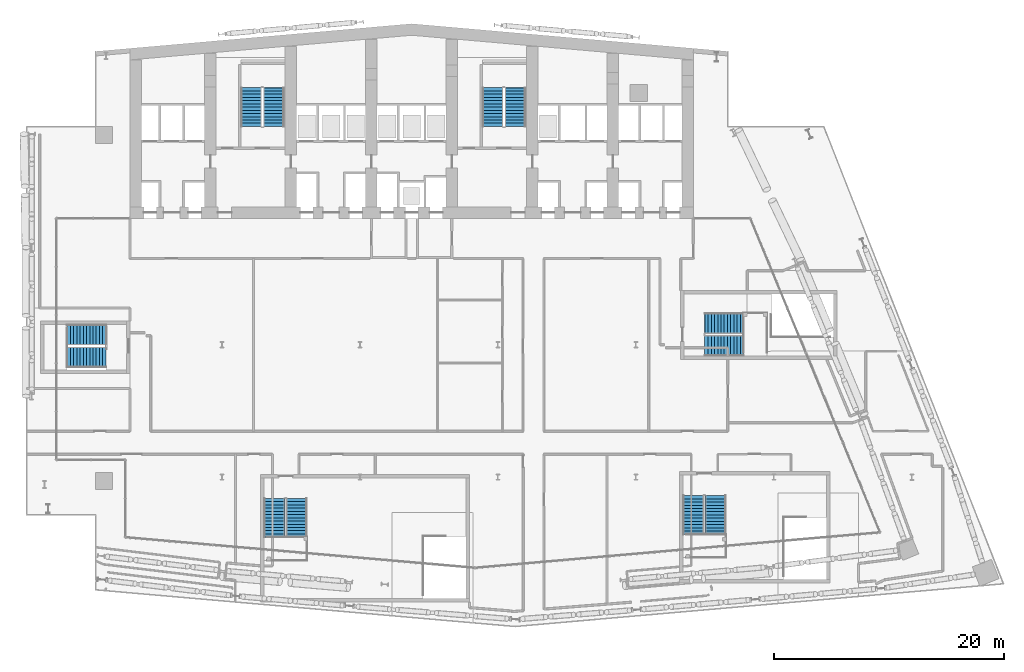
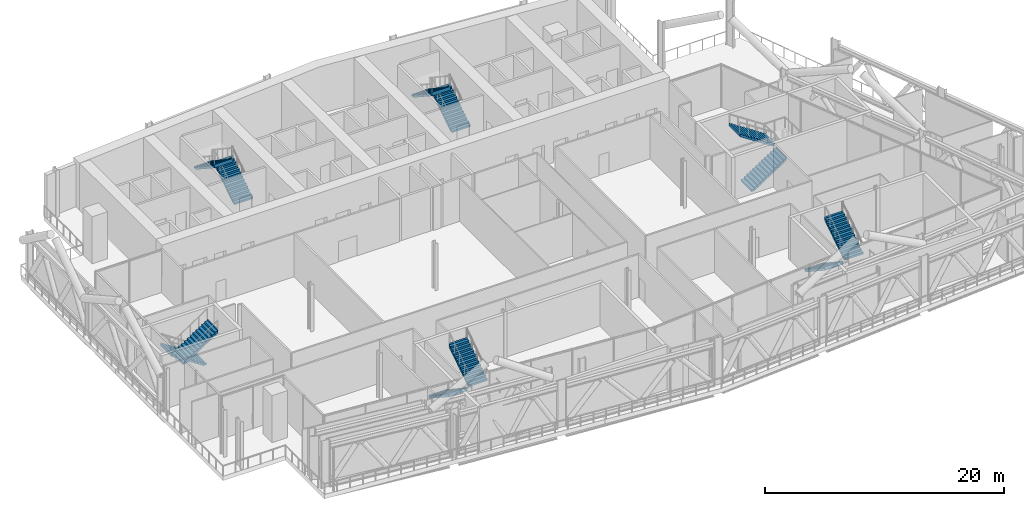
# One storey, part 23 of 42: 12 stair flights, 6 elements without a shape of their own.
"""IFC4 building model written with IfcOpenShell, lengths in metres."""

import ifcopenshell
import ifcopenshell.guid

model = None  # the IFC model being written
_history = None  # IfcOwnerHistory: only IFC2X3 demands one
_inside = {}  # id of a spatial element -> (the spatial element, [elements in it])
_under = {}  # id of a project, library or spatial element -> (it, [spatial elements below it])
_declared = {}  # id of a project -> (the project, [libraries it declares])
_typed = {}  # id of a type object -> (the type object, [elements of that type])
_made_of = {}  # id of a material, layer set ... -> (it, [elements and type objects made of it])


def new_model(schema):
    """Start an empty IFC model of exactly this schema.

    Asked for "IFC4X3", IfcOpenShell would pick the latest addendum, in which some entities
    have other attributes; the version numbers below select the first issue.
    IFC2X3 requires an IfcOwnerHistory on every rooted entity: one is made here for all.
    """
    global model, _history
    if schema == "IFC4X3":
        model = ifcopenshell.file(schema_version=(4, 3, 0, 0))
    else:
        model = ifcopenshell.file(schema=schema)
    _inside.clear()
    _under.clear()
    _declared.clear()
    _typed.clear()
    _made_of.clear()
    _history = None
    if model.schema == "IFC2X3":
        org = make("IfcOrganization", Name="unknown")
        user = make(
            "IfcPersonAndOrganization",
            ThePerson=make("IfcPerson", FamilyName="unknown"),
            TheOrganization=org,
        )
        app = make(
            "IfcApplication",
            ApplicationDeveloper=org,
            Version="unknown",
            ApplicationFullName="unknown",
            ApplicationIdentifier="unknown",
        )
        _history = make(
            "IfcOwnerHistory",
            OwningUser=user,
            OwningApplication=app,
            ChangeAction="ADDED",
            CreationDate=0,
        )
    return model


def make(cls, **values):
    """One entity of the class cls with the attributes given. An attribute that is None is left unset."""
    return model.create_entity(
        cls, **{name: value for name, value in values.items() if value is not None}
    )


def rooted(cls, **values):
    """An entity with a GlobalId (a new one), such as an element, a storey or a relation."""
    return make(cls, GlobalId=ifcopenshell.guid.new(), OwnerHistory=_history, **values)


def si_unit(unit_type, name, prefix=None):
    """IfcSIUnit, for example si_unit("LENGTHUNIT", "METRE", prefix="MILLI")."""
    return make("IfcSIUnit", UnitType=unit_type, Prefix=prefix, Name=name)


def assignment(units):
    """IfcUnitAssignment: the units of a project."""
    return None if units is None else make("IfcUnitAssignment", Units=units)


def point(xyz):
    """IfcCartesianPoint."""
    return None if xyz is None else make("IfcCartesianPoint", Coordinates=xyz)


def direction(xyz):
    """IfcDirection."""
    return None if xyz is None else make("IfcDirection", DirectionRatios=xyz)


def frame(location, z_axis=None, x_axis=None):
    """IfcAxis2Placement3D, a coordinate frame: its origin and axes. An axis left out is left unset."""
    return make(
        "IfcAxis2Placement3D",
        Location=point(location),
        Axis=direction(z_axis),
        RefDirection=direction(x_axis),
    )


def origin():
    """The frame at (0, 0, 0) with its axes left unset."""
    return frame((0.0, 0.0, 0.0))


def place(relative_to, where):
    """IfcLocalPlacement: puts the frame where relative to a parent placement (None: the world)."""
    return make(
        "IfcLocalPlacement", PlacementRelTo=relative_to, RelativePlacement=where
    )


def context(
    kind, dimensions, precision=None, world=None, true_north=None, identifier=None
):
    """IfcGeometricRepresentationContext, for example the 3D "Model" context."""
    return make(
        "IfcGeometricRepresentationContext",
        ContextIdentifier=identifier,
        ContextType=kind,
        CoordinateSpaceDimension=dimensions,
        Precision=precision,
        WorldCoordinateSystem=world,
        TrueNorth=true_north,
    )


def subcontext(parent, identifier, kind, view, scale=None):
    """IfcGeometricRepresentationSubContext, for example "Body" below "Model"."""
    return make(
        "IfcGeometricRepresentationSubContext",
        ContextIdentifier=identifier,
        ContextType=kind,
        ParentContext=parent,
        TargetScale=scale,
        TargetView=view,
    )


def project(units=None, contexts=None):
    """IfcProject with its units and contexts."""
    return rooted(
        "IfcProject",
        Name="project",
        RepresentationContexts=contexts,
        UnitsInContext=assignment(units),
    )


def spatial(cls, under=None, at=None, **own):
    """A site, building, storey or space (cls), placed at a placement, below another one or the project."""
    s = rooted(cls, ObjectPlacement=at, **own)
    if under is not None:
        _under.setdefault(under.id(), (under, []))[1].append(s)
    return s


def polyline(points):
    """IfcPolyline through the points."""
    return make("IfcPolyline", Points=[point(p) for p in points])


def outline(outer, holes=None, kind="AREA"):
    """IfcArbitraryClosedProfileDef: a profile drawn as a closed curve; with holes, ...WithVoids."""
    if holes is None:
        return make("IfcArbitraryClosedProfileDef", ProfileType=kind, OuterCurve=outer)
    return make(
        "IfcArbitraryProfileDefWithVoids",
        ProfileType=kind,
        OuterCurve=outer,
        InnerCurves=holes,
    )


def extrude(swept, where, along, depth):
    """IfcExtrudedAreaSolid: the profile swept, set in the frame where, extruded along a direction by depth."""
    return make(
        "IfcExtrudedAreaSolid",
        SweptArea=swept,
        Position=where,
        ExtrudedDirection=direction(along),
        Depth=depth,
    )


def shape(context_of_items, identifier, shape_type, items):
    """IfcShapeRepresentation: the items that make up one representation, for example the "Body"."""
    return make(
        "IfcShapeRepresentation",
        ContextOfItems=context_of_items,
        RepresentationIdentifier=identifier,
        RepresentationType=shape_type,
        Items=items,
    )


def material(Name=None, Category=None):
    """IfcMaterial."""
    return make("IfcMaterial", Name=Name, Category=Category)


def made_of(thing, what):
    """Note that an element or type object is made of a material, layer set ...; save() writes the relation."""
    if what is not None:
        _made_of.setdefault(what.id(), (what, []))[1].append(thing)
    return thing


def type_object(cls, material=None, **own):
    """A type object (cls), such as IfcWallType, which elements share."""
    return made_of(rooted(cls, **own), material)


def element(
    cls,
    number,
    at=None,
    inside=None,
    cuts=None,
    type_object=None,
    material=None,
    context=None,
    identifier="Body",
    shape_type=None,
    held_by="IfcProductDefinitionShape",
    body=None,
    shapes=None,
    **own,
):
    """One element of the class cls, such as IfcWall. Its Tag is "e" and its number.

    at: its placement. inside: the storey or other place that contains it. cuts: it is an
    opening in that element (IfcRelVoidsElement). A single representation is given by context,
    identifier, shape_type and body (its items); several are given by shapes. held_by: the class
    of the entity that holds the representations. save() writes the other relations.
    """
    e = rooted(cls, Tag="e%d" % number, ObjectPlacement=at, **own)
    if body is not None:
        shapes = [shape(context, identifier, shape_type, body)]
    if shapes is not None:
        e.Representation = make(held_by, Representations=shapes)
    if inside is not None:
        _inside.setdefault(inside.id(), (inside, []))[1].append(e)
    if cuts is not None:
        rooted(
            "IfcRelVoidsElement", RelatingBuildingElement=cuts, RelatedOpeningElement=e
        )
    if type_object is not None:
        _typed.setdefault(type_object.id(), (type_object, []))[1].append(e)
    return made_of(e, material)


def aggregate(whole, parts):
    """IfcRelAggregates: a whole, such as a stair, and the parts it consists of."""
    return rooted("IfcRelAggregates", RelatingObject=whole, RelatedObjects=parts)


def save(model, path):
    """Write the relations noted so far, then the file.

    IfcRelAggregates (storeys below a building ...), IfcRelContainedInSpatialStructure (elements
    in a storey), IfcRelDefinesByType, IfcRelAssociatesMaterial and IfcRelDeclares: one each for
    every whole, place, type object, material and project.
    """
    for whole, parts in _under.values():
        aggregate(whole, parts)
    for where, things in _inside.values():
        rooted(
            "IfcRelContainedInSpatialStructure",
            RelatedElements=things,
            RelatingStructure=where,
        )
    for kind, things in _typed.values():
        rooted("IfcRelDefinesByType", RelatedObjects=things, RelatingType=kind)
    for what, things in _made_of.values():
        rooted("IfcRelAssociatesMaterial", RelatedObjects=things, RelatingMaterial=what)
    for by, libraries in _declared.values():
        rooted("IfcRelDeclares", RelatingContext=by, RelatedDefinitions=libraries)
    model.write(path)


model = new_model("IFC4")

# Units and contexts
model_context = context("Model", 3, precision=1e-05, world=origin(), true_north=direction((0.0, 1.0)))
body_context = subcontext(model_context, "Body", "Model", "MODEL_VIEW")
ifc_project = project(units=[si_unit("LENGTHUNIT", "METRE"), si_unit("AREAUNIT", "SQUARE_METRE"), si_unit("VOLUMEUNIT", "CUBIC_METRE"), si_unit("PLANEANGLEUNIT", "RADIAN"), si_unit("MASSUNIT", "GRAM", prefix="KILO")], contexts=[model_context])

# Site, building, storey
site_placement = place(None, origin())
site = spatial("IfcSite", under=ifc_project, at=site_placement, CompositionType="ELEMENT")
building_placement = place(site_placement, origin())
building = spatial("IfcBuilding", under=site, at=building_placement, Name="Wharfspan Tower", CompositionType="ELEMENT")
storey_placement = place(building_placement, frame((0.0, 0.0, 147.100098)))
storey = spatial("IfcBuildingStorey", under=building, at=storey_placement, Name="L35", CompositionType="ELEMENT", Elevation=147.100098)

# Stair, stair flights
ifc_material = material(Name="Concrete C40/50", Category="concrete")
stair_type = type_object("IfcStairType", Name="Half-turn stair 26 risers 185 mm", PredefinedType="HALF_TURN_STAIR", material=ifc_material)
stair_1_placement = place(storey_placement, origin())
stair_1 = element("IfcStair", 1, at=stair_1_placement, inside=storey, type_object=stair_type, Name="L35 stair ST1", PredefinedType="HALF_TURN_STAIR")
stair_flight_type = type_object("IfcStairFlightType", Name="Stair flight 26 risers 185 mm", PredefinedType="STRAIGHT", material=ifc_material)
stair_flight_1_placement = place(storey_placement, frame((28.5, 42.0, 0.0), z_axis=(0.0, 0.0, 1.0), x_axis=(0.0, 1.0, 0.0)))
stair_flight_1 = element("IfcStairFlight", 2, at=stair_flight_1_placement, type_object=stair_flight_type, Name="ST1 flight 1", NumberOfRisers=13, NumberOfTreads=12, PredefinedType="STRAIGHT", RiserHeight=0.184615, TreadLength=0.28, context=body_context, shape_type="SweptSolid", body=[
    extrude(outline(polyline([(-0.011963, 0.0), (-0.011963, 0.18457), (0.0, 0.18457), (0.280029, 0.18457), (0.280029, 0.369141), (0.560059, 0.369141), (0.560059, 0.553955), (0.840088, 0.553955), (0.840088, 0.738525), (1.120117, 0.738525), (1.120117, 0.923096), (1.399902, 0.923096), (1.399902, 1.107666), (1.679932, 1.107666), (1.679932, 1.292236), (1.959961, 1.292236), (1.959961, 1.476807), (2.23999, 1.476807), (2.23999, 1.661621), (2.52002, 1.661621), (2.52002, 1.846191), (2.800049, 1.846191), (2.800049, 2.030762), (3.080078, 2.030762), (3.080078, 2.215332), (3.360107, 2.215332), (3.37207, 2.399902), (3.37207, 2.035889), (0.272217, 0.0), (-0.011963, 0.0)])), frame((0.0, 0.899902, 0.0), z_axis=(0.0, -1.0, 0.0), x_axis=(1.0, 0.0, 0.0)), (0.0, 0.0, 1.0), 1.800049),
])
stair_flight_2_placement = place(storey_placement, frame((26.550049, 45.360107, 2.399902), z_axis=(0.0, 0.0, 1.0), x_axis=(0.0, -1.0, 0.0)))
stair_flight_2 = element("IfcStairFlight", 3, at=stair_flight_2_placement, type_object=stair_flight_type, Name="ST1 flight 2", NumberOfRisers=13, NumberOfTreads=12, PredefinedType="STRAIGHT", RiserHeight=0.184615, TreadLength=0.28, context=body_context, shape_type="SweptSolid", body=[
    extrude(outline(polyline([(-0.011963, 0.0), (-0.011963, 0.18457), (0.0, 0.18457), (0.280029, 0.18457), (0.280029, 0.369141), (0.560059, 0.369141), (0.560059, 0.553955), (0.840088, 0.553955), (0.840088, 0.738525), (1.120117, 0.738525), (1.120117, 0.923096), (1.399902, 0.923096), (1.399902, 1.107666), (1.679932, 1.107666), (1.679932, 1.292236), (1.959961, 1.292236), (1.959961, 1.476807), (2.23999, 1.476807), (2.23999, 1.661621), (2.52002, 1.661621), (2.52002, 1.846191), (2.800049, 1.846191), (2.800049, 2.030762), (3.080078, 2.030762), (3.080078, 2.215332), (3.360107, 2.215332), (3.37207, 2.399902), (3.37207, 2.035889), (0.272217, 0.0), (-0.011963, 0.0)])), frame((0.0, 0.899902, 0.0), z_axis=(0.0, -1.0, 0.0), x_axis=(1.0, 0.0, 0.0)), (0.0, 0.0, 1.0), 1.800049),
])
aggregate(stair_1, [stair_flight_1, stair_flight_2])

stair_2_placement = place(storey_placement, origin())
stair_2 = element("IfcStair", 4, at=stair_2_placement, inside=storey, type_object=stair_type, Name="L35 stair ST2", PredefinedType="HALF_TURN_STAIR")
stair_flight_3_placement = place(storey_placement, frame((49.5, 42.0, 0.0), z_axis=(0.0, 0.0, 1.0), x_axis=(0.0, 1.0, 0.0)))
stair_flight_3 = element("IfcStairFlight", 5, at=stair_flight_3_placement, type_object=stair_flight_type, Name="ST2 flight 1", NumberOfRisers=13, NumberOfTreads=12, PredefinedType="STRAIGHT", RiserHeight=0.184615, TreadLength=0.28, context=body_context, shape_type="SweptSolid", body=[
    extrude(outline(polyline([(-0.011963, 0.0), (-0.011963, 0.18457), (0.0, 0.18457), (0.280029, 0.18457), (0.280029, 0.369141), (0.560059, 0.369141), (0.560059, 0.553955), (0.840088, 0.553955), (0.840088, 0.738525), (1.120117, 0.738525), (1.120117, 0.923096), (1.399902, 0.923096), (1.399902, 1.107666), (1.679932, 1.107666), (1.679932, 1.292236), (1.959961, 1.292236), (1.959961, 1.476807), (2.23999, 1.476807), (2.23999, 1.661621), (2.52002, 1.661621), (2.52002, 1.846191), (2.800049, 1.846191), (2.800049, 2.030762), (3.080078, 2.030762), (3.080078, 2.215332), (3.360107, 2.215332), (3.37207, 2.399902), (3.37207, 2.035889), (0.272217, 0.0), (-0.011963, 0.0)])), frame((0.0, 0.899902, 0.0), z_axis=(0.0, -1.0, 0.0), x_axis=(1.0, 0.0, 0.0)), (0.0, 0.0, 1.0), 1.800049),
])
stair_flight_4_placement = place(storey_placement, frame((47.550049, 45.360107, 2.399902), z_axis=(0.0, 0.0, 1.0), x_axis=(0.0, -1.0, 0.0)))
stair_flight_4 = element("IfcStairFlight", 6, at=stair_flight_4_placement, type_object=stair_flight_type, Name="ST2 flight 2", NumberOfRisers=13, NumberOfTreads=12, PredefinedType="STRAIGHT", RiserHeight=0.184615, TreadLength=0.28, context=body_context, shape_type="SweptSolid", body=[
    extrude(outline(polyline([(-0.011963, 0.0), (-0.011963, 0.18457), (0.0, 0.18457), (0.280029, 0.18457), (0.280029, 0.369141), (0.560059, 0.369141), (0.560059, 0.553955), (0.840088, 0.553955), (0.840088, 0.738525), (1.120117, 0.738525), (1.120117, 0.923096), (1.399902, 0.923096), (1.399902, 1.107666), (1.679932, 1.107666), (1.679932, 1.292236), (1.959961, 1.292236), (1.959961, 1.476807), (2.23999, 1.476807), (2.23999, 1.661621), (2.52002, 1.661621), (2.52002, 1.846191), (2.800049, 1.846191), (2.800049, 2.030762), (3.080078, 2.030762), (3.080078, 2.215332), (3.360107, 2.215332), (3.37207, 2.399902), (3.37207, 2.035889), (0.272217, 0.0), (-0.011963, 0.0)])), frame((0.0, 0.899902, 0.0), z_axis=(0.0, -1.0, 0.0), x_axis=(1.0, 0.0, 0.0)), (0.0, 0.0, 1.0), 1.800049),
])
aggregate(stair_2, [stair_flight_3, stair_flight_4])

stair_3_placement = place(storey_placement, origin())
stair_3 = element("IfcStair", 7, at=stair_3_placement, inside=storey, type_object=stair_type, Name="L35 stair ST3", PredefinedType="HALF_TURN_STAIR")
stair_flight_5_placement = place(storey_placement, frame((13.899902, 23.875, 0.0), z_axis=(0.0, 0.0, 1.0), x_axis=(-1.0, 0.0, 0.0)))
stair_flight_5 = element("IfcStairFlight", 8, at=stair_flight_5_placement, type_object=stair_flight_type, Name="ST3 flight 1", NumberOfRisers=13, NumberOfTreads=12, PredefinedType="STRAIGHT", RiserHeight=0.184615, TreadLength=0.28, context=body_context, shape_type="SweptSolid", body=[
    extrude(outline(polyline([(-0.011963, 0.0), (-0.011963, 0.18457), (0.0, 0.18457), (0.280029, 0.18457), (0.280029, 0.369141), (0.560059, 0.369141), (0.560059, 0.553955), (0.840088, 0.553955), (0.840088, 0.738525), (1.120117, 0.738525), (1.120117, 0.923096), (1.399902, 0.923096), (1.399902, 1.107666), (1.679932, 1.107666), (1.679932, 1.292236), (1.959961, 1.292236), (1.959961, 1.476807), (2.23999, 1.476807), (2.23999, 1.661621), (2.52002, 1.661621), (2.52002, 1.846191), (2.800049, 1.846191), (2.800049, 2.030762), (3.080078, 2.030762), (3.080078, 2.215332), (3.360107, 2.215332), (3.37207, 2.399902), (3.37207, 2.035889), (0.272217, 0.0), (-0.011963, 0.0)])), frame((0.0, 0.899902, 0.0), z_axis=(0.0, -1.0, 0.0), x_axis=(1.0, 0.0, 0.0)), (0.0, 0.0, 1.0), 1.800049),
])
stair_flight_6_placement = place(storey_placement, frame((10.540039, 21.925049, 2.399902), z_axis=(0.0, 0.0, 1.0), x_axis=(1.0, 0.0, 0.0)))
stair_flight_6 = element("IfcStairFlight", 9, at=stair_flight_6_placement, type_object=stair_flight_type, Name="ST3 flight 2", NumberOfRisers=13, NumberOfTreads=12, PredefinedType="STRAIGHT", RiserHeight=0.184615, TreadLength=0.28, context=body_context, shape_type="SweptSolid", body=[
    extrude(outline(polyline([(-0.011963, 0.0), (-0.011963, 0.18457), (0.0, 0.18457), (0.280029, 0.18457), (0.280029, 0.369141), (0.560059, 0.369141), (0.560059, 0.553955), (0.840088, 0.553955), (0.840088, 0.738525), (1.120117, 0.738525), (1.120117, 0.923096), (1.399902, 0.923096), (1.399902, 1.107666), (1.679932, 1.107666), (1.679932, 1.292236), (1.959961, 1.292236), (1.959961, 1.476807), (2.23999, 1.476807), (2.23999, 1.661621), (2.52002, 1.661621), (2.52002, 1.846191), (2.800049, 1.846191), (2.800049, 2.030762), (3.080078, 2.030762), (3.080078, 2.215332), (3.360107, 2.215332), (3.37207, 2.399902), (3.37207, 2.035889), (0.272217, 0.0), (-0.011963, 0.0)])), frame((0.0, 0.899902, 0.0), z_axis=(0.0, -1.0, 0.0), x_axis=(1.0, 0.0, 0.0)), (0.0, 0.0, 1.0), 1.800049),
])
aggregate(stair_3, [stair_flight_5, stair_flight_6])

stair_4_placement = place(storey_placement, origin())
stair_4 = element("IfcStair", 10, at=stair_4_placement, inside=storey, type_object=stair_type, Name="L35 stair ST4", PredefinedType="HALF_TURN_STAIR")
stair_flight_7_placement = place(storey_placement, frame((28.564209, 9.634277, 0.0), z_axis=(0.0, 0.0, 1.0), x_axis=(0.0, -1.0, 0.0)))
stair_flight_7 = element("IfcStairFlight", 11, at=stair_flight_7_placement, type_object=stair_flight_type, Name="ST4 flight 1", NumberOfRisers=13, NumberOfTreads=12, PredefinedType="STRAIGHT", RiserHeight=0.184615, TreadLength=0.28, context=body_context, shape_type="SweptSolid", body=[
    extrude(outline(polyline([(-0.011963, 0.0), (-0.011963, 0.18457), (0.0, 0.18457), (0.280029, 0.18457), (0.280029, 0.369141), (0.560059, 0.369141), (0.560059, 0.553955), (0.840088, 0.553955), (0.840088, 0.738525), (1.120117, 0.738525), (1.120117, 0.923096), (1.399902, 0.923096), (1.399902, 1.107666), (1.679932, 1.107666), (1.679932, 1.292236), (1.959961, 1.292236), (1.959961, 1.476807), (2.23999, 1.476807), (2.23999, 1.661621), (2.52002, 1.661621), (2.52002, 1.846191), (2.800049, 1.846191), (2.800049, 2.030762), (3.080078, 2.030762), (3.080078, 2.215332), (3.360107, 2.215332), (3.37207, 2.399902), (3.37207, 2.035889), (0.272217, 0.0), (-0.011963, 0.0)])), frame((0.0, 0.899902, 0.0), z_axis=(0.0, -1.0, 0.0), x_axis=(1.0, 0.0, 0.0)), (0.0, 0.0, 1.0), 1.800049),
])
stair_flight_8_placement = place(storey_placement, frame((30.51416, 6.27417, 2.399902), z_axis=(0.0, 0.0, 1.0), x_axis=(0.0, 1.0, 0.0)))
stair_flight_8 = element("IfcStairFlight", 12, at=stair_flight_8_placement, type_object=stair_flight_type, Name="ST4 flight 2", NumberOfRisers=13, NumberOfTreads=12, PredefinedType="STRAIGHT", RiserHeight=0.184615, TreadLength=0.28, context=body_context, shape_type="SweptSolid", body=[
    extrude(outline(polyline([(-0.011963, 0.0), (-0.011963, 0.18457), (0.0, 0.18457), (0.280029, 0.18457), (0.280029, 0.369141), (0.560059, 0.369141), (0.560059, 0.553955), (0.840088, 0.553955), (0.840088, 0.738525), (1.120117, 0.738525), (1.120117, 0.923096), (1.399902, 0.923096), (1.399902, 1.107666), (1.679932, 1.107666), (1.679932, 1.292236), (1.959961, 1.292236), (1.959961, 1.476807), (2.23999, 1.476807), (2.23999, 1.661621), (2.52002, 1.661621), (2.52002, 1.846191), (2.800049, 1.846191), (2.800049, 2.030762), (3.080078, 2.030762), (3.080078, 2.215332), (3.360107, 2.215332), (3.37207, 2.399902), (3.37207, 2.035889), (0.272217, 0.0), (-0.011963, 0.0)])), frame((0.0, 0.899902, 0.0), z_axis=(0.0, -1.0, 0.0), x_axis=(1.0, 0.0, 0.0)), (0.0, 0.0, 1.0), 1.800049),
])
aggregate(stair_4, [stair_flight_7, stair_flight_8])

stair_5_placement = place(storey_placement, origin())
stair_5 = element("IfcStair", 13, at=stair_5_placement, inside=storey, type_object=stair_type, Name="L35 stair ST5", PredefinedType="HALF_TURN_STAIR")
stair_flight_9_placement = place(storey_placement, frame((64.986328, 9.883789, 0.0), z_axis=(0.0, 0.0, 1.0), x_axis=(0.0, -1.0, 0.0)))
stair_flight_9 = element("IfcStairFlight", 14, at=stair_flight_9_placement, type_object=stair_flight_type, Name="ST5 flight 1", NumberOfRisers=13, NumberOfTreads=12, PredefinedType="STRAIGHT", RiserHeight=0.184615, TreadLength=0.28, context=body_context, shape_type="SweptSolid", body=[
    extrude(outline(polyline([(-0.011963, 0.0), (-0.011963, 0.18457), (0.0, 0.18457), (0.280029, 0.18457), (0.280029, 0.369141), (0.560059, 0.369141), (0.560059, 0.553955), (0.840088, 0.553955), (0.840088, 0.738525), (1.120117, 0.738525), (1.120117, 0.923096), (1.399902, 0.923096), (1.399902, 1.107666), (1.679932, 1.107666), (1.679932, 1.292236), (1.959961, 1.292236), (1.959961, 1.476807), (2.23999, 1.476807), (2.23999, 1.661621), (2.52002, 1.661621), (2.52002, 1.846191), (2.800049, 1.846191), (2.800049, 2.030762), (3.080078, 2.030762), (3.080078, 2.215332), (3.360107, 2.215332), (3.37207, 2.399902), (3.37207, 2.035889), (0.272217, 0.0), (-0.011963, 0.0)])), frame((0.0, 0.899902, 0.0), z_axis=(0.0, -1.0, 0.0), x_axis=(1.0, 0.0, 0.0)), (0.0, 0.0, 1.0), 1.800049),
])
stair_flight_10_placement = place(storey_placement, frame((66.936279, 6.523682, 2.399902), z_axis=(0.0, 0.0, 1.0), x_axis=(0.0, 1.0, 0.0)))
stair_flight_10 = element("IfcStairFlight", 15, at=stair_flight_10_placement, type_object=stair_flight_type, Name="ST5 flight 2", NumberOfRisers=13, NumberOfTreads=12, PredefinedType="STRAIGHT", RiserHeight=0.184615, TreadLength=0.28, context=body_context, shape_type="SweptSolid", body=[
    extrude(outline(polyline([(-0.011963, 0.0), (-0.011963, 0.18457), (0.0, 0.18457), (0.280029, 0.18457), (0.280029, 0.369141), (0.560059, 0.369141), (0.560059, 0.553955), (0.840088, 0.553955), (0.840088, 0.738525), (1.120117, 0.738525), (1.120117, 0.923096), (1.399902, 0.923096), (1.399902, 1.107666), (1.679932, 1.107666), (1.679932, 1.292236), (1.959961, 1.292236), (1.959961, 1.476807), (2.23999, 1.476807), (2.23999, 1.661621), (2.52002, 1.661621), (2.52002, 1.846191), (2.800049, 1.846191), (2.800049, 2.030762), (3.080078, 2.030762), (3.080078, 2.215332), (3.360107, 2.215332), (3.37207, 2.399902), (3.37207, 2.035889), (0.272217, 0.0), (-0.011963, 0.0)])), frame((0.0, 0.899902, 0.0), z_axis=(0.0, -1.0, 0.0), x_axis=(1.0, 0.0, 0.0)), (0.0, 0.0, 1.0), 1.800049),
])
aggregate(stair_5, [stair_flight_9, stair_flight_10])

stair_6_placement = place(storey_placement, origin())
stair_6 = element("IfcStair", 16, at=stair_6_placement, inside=storey, type_object=stair_type, Name="L35 stair ST6", PredefinedType="HALF_TURN_STAIR")
stair_flight_11_placement = place(storey_placement, frame((66.004639, 22.925049, 0.0), z_axis=(0.0, 0.0, 1.0), x_axis=(1.0, 0.0, 0.0)))
stair_flight_11 = element("IfcStairFlight", 17, at=stair_flight_11_placement, type_object=stair_flight_type, Name="ST6 flight 1", NumberOfRisers=13, NumberOfTreads=12, PredefinedType="STRAIGHT", RiserHeight=0.184615, TreadLength=0.28, context=body_context, shape_type="SweptSolid", body=[
    extrude(outline(polyline([(-0.011963, 0.0), (-0.011963, 0.18457), (0.0, 0.18457), (0.280029, 0.18457), (0.280029, 0.369141), (0.560059, 0.369141), (0.560059, 0.553955), (0.840088, 0.553955), (0.840088, 0.738525), (1.120117, 0.738525), (1.120117, 0.923096), (1.399902, 0.923096), (1.399902, 1.107666), (1.679932, 1.107666), (1.679932, 1.292236), (1.959961, 1.292236), (1.959961, 1.476807), (2.23999, 1.476807), (2.23999, 1.661621), (2.52002, 1.661621), (2.52002, 1.846191), (2.800049, 1.846191), (2.800049, 2.030762), (3.080078, 2.030762), (3.080078, 2.215332), (3.360107, 2.215332), (3.37207, 2.399902), (3.37207, 2.035889), (0.272217, 0.0), (-0.011963, 0.0)])), frame((0.0, 0.899902, 0.0), z_axis=(0.0, -1.0, 0.0), x_axis=(1.0, 0.0, 0.0)), (0.0, 0.0, 1.0), 1.800049),
])
stair_flight_12_placement = place(storey_placement, frame((69.364502, 24.875, 2.399902), z_axis=(0.0, 0.0, 1.0), x_axis=(-1.0, 0.0, 0.0)))
stair_flight_12 = element("IfcStairFlight", 18, at=stair_flight_12_placement, type_object=stair_flight_type, Name="ST6 flight 2", NumberOfRisers=13, NumberOfTreads=12, PredefinedType="STRAIGHT", RiserHeight=0.184615, TreadLength=0.28, context=body_context, shape_type="SweptSolid", body=[
    extrude(outline(polyline([(-0.011963, 0.0), (-0.011963, 0.18457), (0.0, 0.18457), (0.280029, 0.18457), (0.280029, 0.369141), (0.560059, 0.369141), (0.560059, 0.553955), (0.840088, 0.553955), (0.840088, 0.738525), (1.120117, 0.738525), (1.120117, 0.923096), (1.399902, 0.923096), (1.399902, 1.107666), (1.679932, 1.107666), (1.679932, 1.292236), (1.959961, 1.292236), (1.959961, 1.476807), (2.23999, 1.476807), (2.23999, 1.661621), (2.52002, 1.661621), (2.52002, 1.846191), (2.800049, 1.846191), (2.800049, 2.030762), (3.080078, 2.030762), (3.080078, 2.215332), (3.360107, 2.215332), (3.37207, 2.399902), (3.37207, 2.035889), (0.272217, 0.0), (-0.011963, 0.0)])), frame((0.0, 0.899902, 0.0), z_axis=(0.0, -1.0, 0.0), x_axis=(1.0, 0.0, 0.0)), (0.0, 0.0, 1.0), 1.800049),
])
aggregate(stair_6, [stair_flight_11, stair_flight_12])

save(model, "model.ifc")
